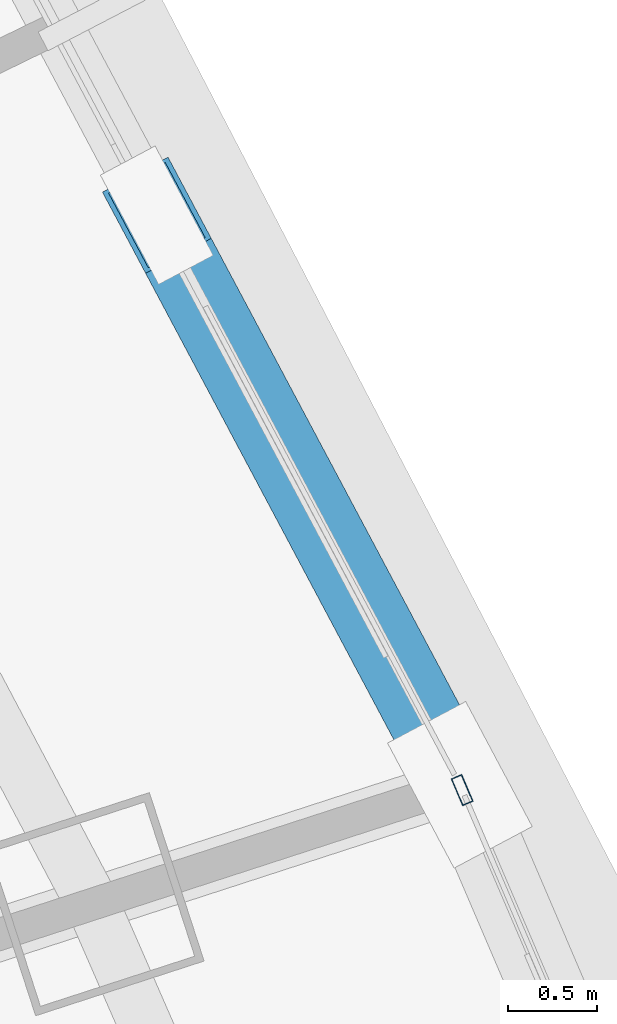
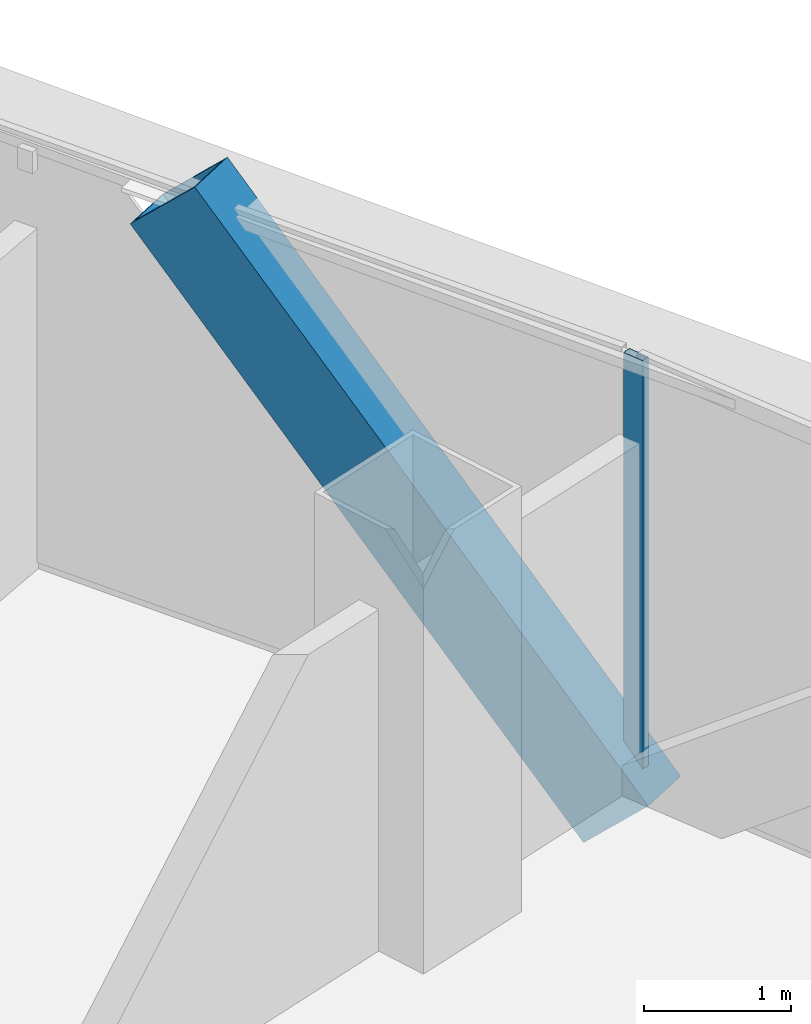
# One storey, part 24 of 38: 2 members, 1 element without a shape of its own.
"""IFC4 building model written with IfcOpenShell, lengths in metres."""

from ifc_helpers import new_model, si_unit, direction, frame, origin, origin_2d, place, context, subcontext, project, spatial, hollow_rectangle, extrude, source, transform, mapped, material, layer, layer_set, material_profile, profile_set, type_object, element, aggregate, save


model = new_model("IFC4")

# Units and contexts
model_context = context("Model", 3, precision=1e-05, world=origin(), true_north=direction((0.0, 1.0)))
body_context = subcontext(model_context, "Body", "Model", "MODEL_VIEW")
ifc_project = project(units=[si_unit("LENGTHUNIT", "METRE"), si_unit("AREAUNIT", "SQUARE_METRE"), si_unit("VOLUMEUNIT", "CUBIC_METRE"), si_unit("PLANEANGLEUNIT", "RADIAN"), si_unit("MASSUNIT", "GRAM", prefix="KILO"), si_unit("THERMODYNAMICTEMPERATUREUNIT", "KELVIN"), si_unit("POWERUNIT", "WATT")], contexts=[model_context])

# Site, building, storey
site_placement = place(None, origin())
site = spatial("IfcSite", under=ifc_project, at=site_placement, CompositionType="ELEMENT")
building_placement = place(site_placement, origin())
building = spatial("IfcBuilding", under=site, at=building_placement, Name="Yunzhuo Pagoda Commons", CompositionType="ELEMENT")
storey_placement = place(building_placement, frame((0.0, 0.0, 81.179931640625)))
storey = spatial("IfcBuildingStorey", under=building, at=storey_placement, Name="L20", CompositionType="ELEMENT", Elevation=81.179931640625)

# Member
ifc_material_1 = material(Name="Structural steel Q420B", Category="steel")
ifc_material_profile_1 = material_profile(ifc_material_1, hollow_rectangle(XDim=0.419921875, YDim=0.719970703125, WallThickness=0.028076171875, at=origin_2d()), Name="Structural steel Q420B")
ifc_profile_set_1 = profile_set([ifc_material_profile_1], Name="Structural steel Q420B")
member_type_1 = type_object("IfcMemberType", Name="M-DL1 Brace BOX 720x420x28", PredefinedType="BRACE", material=ifc_profile_set_1)
shared_shape_1 = source(origin(), body_context, "Body", "SweptSolid", [
    extrude(hollow_rectangle(XDim=0.419921875, YDim=0.719970703125, WallThickness=0.028076171875, at=origin_2d()), origin(), (0.0, 0.0, 1.0), 5.26416015625),
])
member_1_placement = place(storey_placement, frame((81.0654296875, 44.44384765625, -0.260009765625), z_axis=(-0.325112112111, 0.610895398107, 0.721878748219), x_axis=(-0.882771864402, -0.46980191083, 0.0)))
element("IfcMember", 1, at=member_1_placement, inside=storey, type_object=member_type_1, Name="L20 facade diamond brace F2.2L", PredefinedType="BRACE", context=body_context, shape_type="MappedRepresentation", body=[
    mapped(shared_shape_1, transform((0.0, 0.0, 0.0), scale=1.0)),
])

# Curtain wall, member
ifc_material_2 = material(Name="Anodized aluminium 6063-T6", Category="aluminium")
ifc_layer = layer(ifc_material_2, 0.1650390625)
ifc_layer_set = layer_set([ifc_layer], Name="Anodized aluminium 6063-T6")
curtain_wall_type = type_object("IfcCurtainWallType", Name="CW-LOW Low-Zone Ribbon Curtain Wall", PredefinedType="NOTDEFINED", material=ifc_layer_set)
curtain_wall_placement = place(storey_placement, origin())
curtain_wall = element("IfcCurtainWall", 2, at=curtain_wall_placement, inside=storey, type_object=curtain_wall_type, Name="L20 curtain wall CW-L20-F2B2", PredefinedType="NOTDEFINED")
ifc_material_profile_2 = material_profile(ifc_material_2, hollow_rectangle(XDim=0.06494140625, YDim=0.1650390625, WallThickness=0.00390625, at=origin_2d()), Name="Anodized aluminium 6063-T6")
ifc_profile_set_2 = profile_set([ifc_material_profile_2], Name="Anodized aluminium 6063-T6")
member_type_2 = type_object("IfcMemberType", Name="CW-LOW-M Mullion RHS 165x65x4", PredefinedType="MULLION", material=ifc_profile_set_2)
shared_shape_2 = source(origin(), body_context, "Body", "SweptSolid", [
    extrude(hollow_rectangle(XDim=0.06494140625, YDim=0.1650390625, WallThickness=0.00390625, at=origin_2d()), origin(), (0.0, 0.0, 1.0), 3.5400390625),
])
member_2_placement = place(storey_placement, frame((81.077880859375, 44.41357421875, 0.0), z_axis=(0.0, 0.0, 1.0), x_axis=(-0.919250024103, -0.39367422215, 0.0)))
member_2 = element("IfcMember", 3, at=member_2_placement, type_object=member_type_2, Name="CW mullion 2", PredefinedType="MULLION", context=body_context, shape_type="MappedRepresentation", body=[
    mapped(shared_shape_2, transform((0.0, 0.0, 0.0), scale=1.0)),
])
aggregate(curtain_wall, [member_2])

save(model, "model.ifc")
